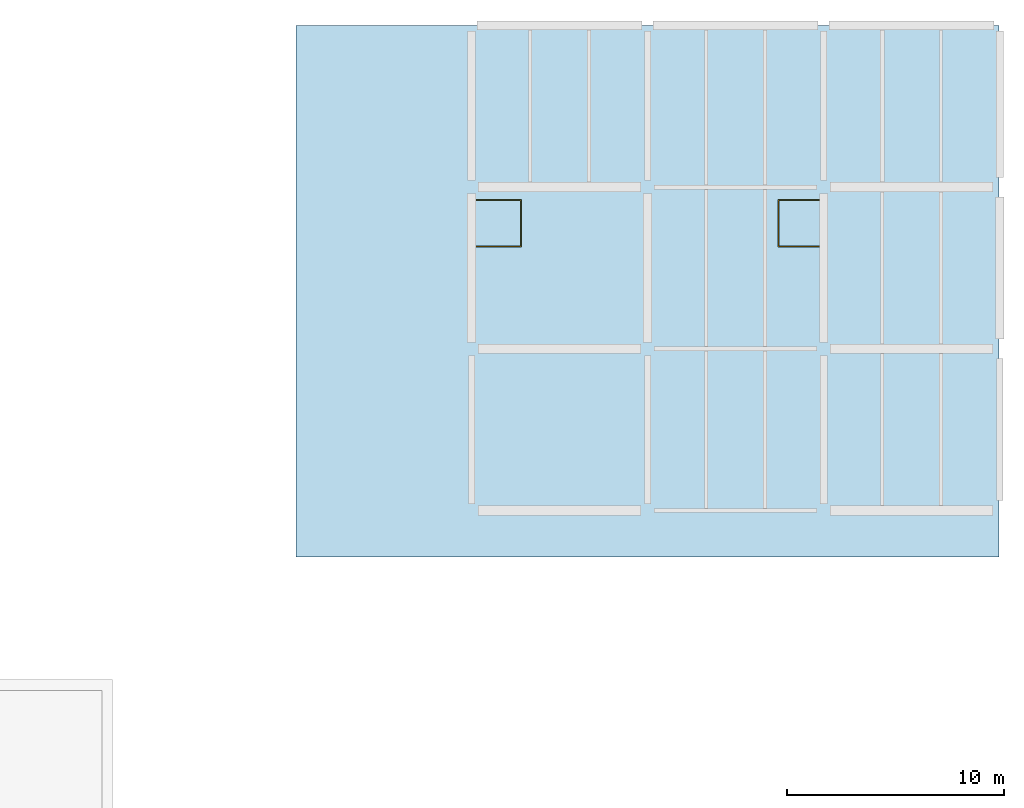
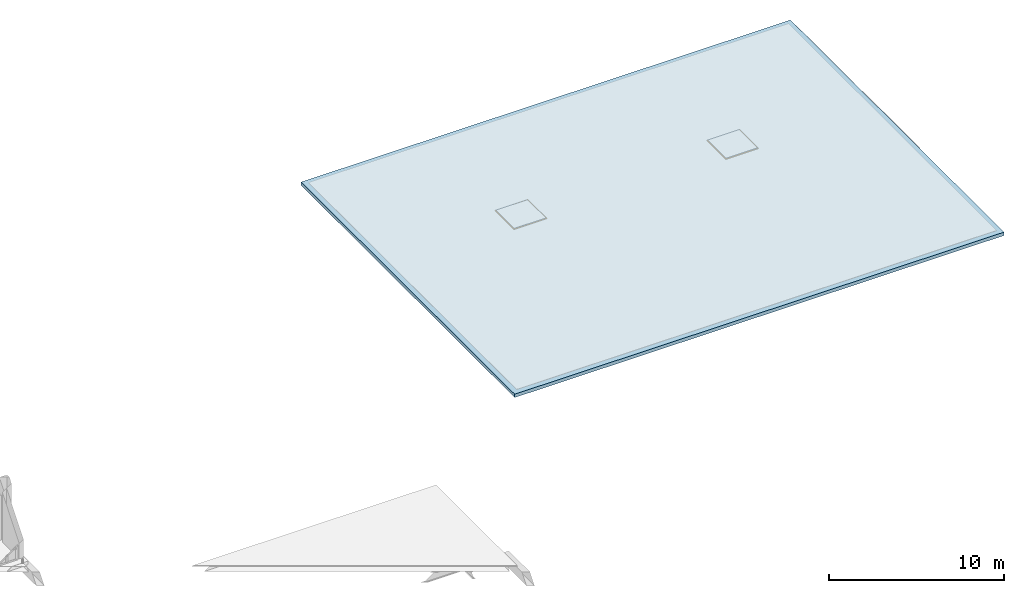
# One storey, part 15 of 25: 2 plates, 2 windows, 1 slab, 2 openings.
"""IFC4 building model written with IfcOpenShell, lengths in metres."""

from ifc_helpers import new_model, si_unit, direction, frame, origin, origin_2d, place, context, subcontext, project, spatial, polyline, rectangle, outline, extrude, material, layer, layer_set, type_object, element, fill, save


model = new_model("IFC4")

# Units and contexts
model_context = context("Model", 3, precision=1e-05, world=origin(), true_north=direction((0.0, 1.0)))
body_context = subcontext(model_context, "Body", "Model", "MODEL_VIEW")
ifc_project = project(units=[si_unit("LENGTHUNIT", "METRE"), si_unit("AREAUNIT", "SQUARE_METRE"), si_unit("VOLUMEUNIT", "CUBIC_METRE"), si_unit("PLANEANGLEUNIT", "RADIAN"), si_unit("MASSUNIT", "GRAM", prefix="KILO")], contexts=[model_context])

# Site, building, storey
site_placement = place(None, origin())
site = spatial("IfcSite", under=ifc_project, at=site_placement, CompositionType="ELEMENT")
building_placement = place(site_placement, origin())
building = spatial("IfcBuilding", under=site, at=building_placement, Name="Kaelora Sail Theatre", CompositionType="ELEMENT")
storey_placement = place(building_placement, frame((0.0, 0.0, 19.199951171875)))
storey = spatial("IfcBuildingStorey", under=building, at=storey_placement, Name="L04", CompositionType="ELEMENT", Elevation=19.199951171875)

# Plates
ifc_material_1 = material(Name="Laminated solar-control skylight glass", Category="glass")
ifc_layer_1 = layer(ifc_material_1, 0.035888671875)
ifc_layer_set_1 = layer_set([ifc_layer_1], Name="Laminated solar-control skylight glass")
plate_type = type_object("IfcPlateType", Name="ARC-PL-SKL-GLS-36", PredefinedType="USERDEFINED", material=ifc_layer_set_1)
for number, where, z_axis, x_axis, name in (
    (1, (108.0, 104.0, 0.0), (0.0, 0.0, 1.0), (1.0, 0.0, 0.0), "Skylight laminated glazing SKL-04"),
    (2, (122.0, 104.0, 0.0), (0.0, 0.0, 1.0), (1.0, 0.0, 0.0), "Skylight laminated glazing SKL-05"),
):
    element("IfcPlate", number, at=place(storey_placement, frame(where, z_axis=z_axis, x_axis=x_axis)), inside=storey, type_object=plate_type, Name=name, ObjectType="SKYLIGHT PANEL", PredefinedType="USERDEFINED", context=body_context, shape_type="SweptSolid", body=[
        extrude(rectangle(XDim=2.10009765625, YDim=2.10009765625, at=origin_2d()), origin(), (0.0, 0.0, 1.0), 0.035888671875),
    ])

# Slab, openings, windows
ifc_material_2 = material(Name="Concrete C40/50", Category="concrete")
ifc_layer_2 = layer(ifc_material_2, 0.235107421875)
ifc_layer_set_2 = layer_set([ifc_layer_2], Name="Concrete C40/50")
slab_type = type_object("IfcSlabType", Name="STR-SLB-SL-RF235", PredefinedType="ROOF", material=ifc_layer_set_2)
slab_placement = place(storey_placement, frame((0.0, 0.0, -0.23486328125)))
slab = element("IfcSlab", 3, at=slab_placement, inside=storey, type_object=slab_type, Name="Flat wing roof slab RF-NW4-TOP", PredefinedType="ROOF", context=body_context, shape_type="SweptSolid", body=[
    extrude(outline(polyline([(98.72998046875, 113.10009765625), (131.070068359375, 113.10009765625), (131.070068359375, 88.64990234375), (98.72998046875, 88.64990234375), (98.72998046875, 113.10009765625)])), origin(), (0.0, 0.0, 1.0), 0.23486328125),
])
opening_1_placement = place(slab_placement, frame((108.0, 104.0, 0.0)))
opening_1 = element("IfcOpeningElement", 4, at=opening_1_placement, cuts=slab, Name="Opening W-11", PredefinedType="OPENING", context=body_context, shape_type="SweptSolid", body=[
    extrude(rectangle(XDim=2.199951171875, YDim=2.199951171875, at=origin_2d()), origin(), (0.0, 0.0, 1.0), 0.23486328125),
])
opening_2_placement = place(slab_placement, frame((122.0, 104.0, 0.0)))
opening_2 = element("IfcOpeningElement", 5, at=opening_2_placement, cuts=slab, Name="Opening W-11", PredefinedType="OPENING", context=body_context, shape_type="SweptSolid", body=[
    extrude(rectangle(XDim=2.199951171875, YDim=2.199951171875, at=origin_2d()), origin(), (0.0, 0.0, 1.0), 0.23486328125),
])
ifc_material_3 = material(Name="Thermally broken aluminium and low-E double glazing", Category="aluminium")
window_type = type_object("IfcWindowType", Name="ARC-WIN-W-11", PartitioningType="SINGLE_PANEL", PredefinedType="LIGHTDOME", material=ifc_material_3)
window_1_placement = place(opening_1_placement, frame((0.0, 0.0, 0.18994140625)))
window_1 = element("IfcWindow", 6, at=window_1_placement, inside=storey, type_object=window_type, Name="Acoustic Roof Skylight SKL-04", OverallHeight=2.199951171875, OverallWidth=2.199951171875, PartitioningType="SINGLE_PANEL", PredefinedType="LIGHTDOME", context=body_context, shape_type="SweptSolid", body=[
    extrude(rectangle(XDim=2.199951171875, YDim=2.199951171875, at=origin_2d()), origin(), (0.0, 0.0, 1.0), 0.044921875),
])
fill(opening_1, window_1)
window_2_placement = place(opening_2_placement, frame((0.0, 0.0, 0.18994140625)))
window_2 = element("IfcWindow", 7, at=window_2_placement, inside=storey, type_object=window_type, Name="Acoustic Roof Skylight SKL-05", OverallHeight=2.199951171875, OverallWidth=2.199951171875, PartitioningType="SINGLE_PANEL", PredefinedType="LIGHTDOME", context=body_context, shape_type="SweptSolid", body=[
    extrude(rectangle(XDim=2.199951171875, YDim=2.199951171875, at=origin_2d()), origin(), (0.0, 0.0, 1.0), 0.044921875),
])
fill(opening_2, window_2)

save(model, "model.ifc")
